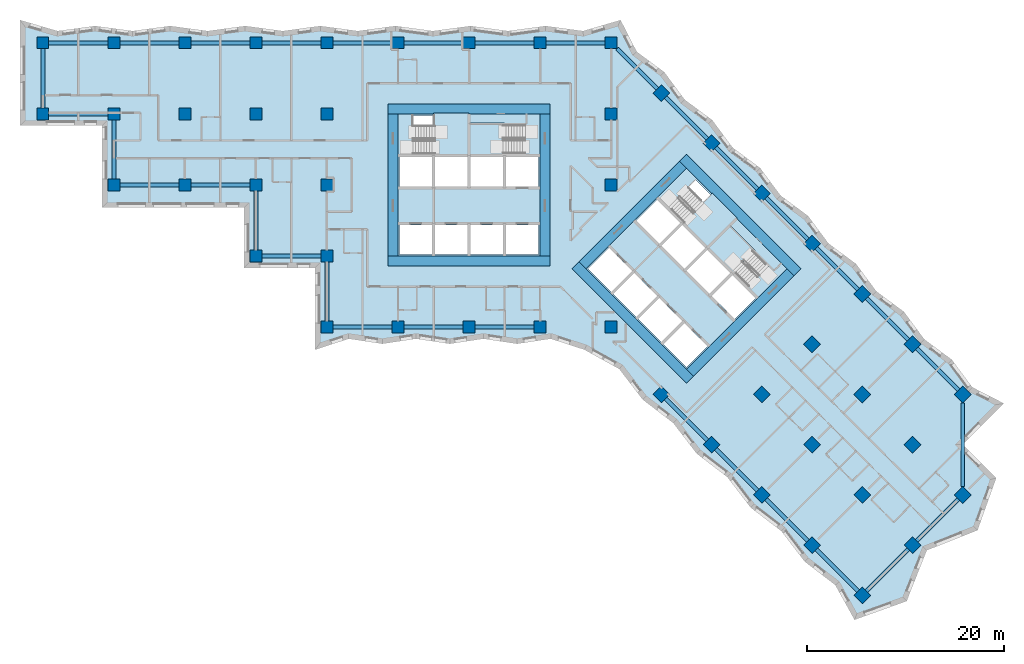
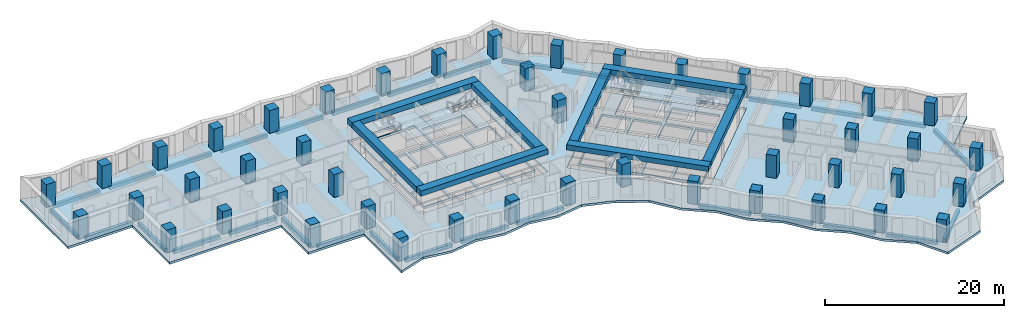
# One storey, part 1 of 12: 47 columns, 41 beams, 7 slabs, 22 openings, 4 elements without a shape of their own.
"""IFC4 building model written with IfcOpenShell, lengths in metres."""

from ifc_helpers import new_model, si_unit, direction, frame, origin, origin_2d, place, context, subcontext, project, spatial, polyline, rectangle, outline, extrude, material, layer, layer_set, material_profile, profile_set, type_object, element, aggregate, save


model = new_model("IFC4")

# Units and contexts
model_context = context("Model", 3, precision=1e-05, world=origin(), true_north=direction((0.0, 1.0)))
body_context = subcontext(model_context, "Body", "Model", "MODEL_VIEW")
ifc_project = project(units=[si_unit("LENGTHUNIT", "METRE"), si_unit("AREAUNIT", "SQUARE_METRE"), si_unit("VOLUMEUNIT", "CUBIC_METRE"), si_unit("PLANEANGLEUNIT", "RADIAN"), si_unit("MASSUNIT", "GRAM", prefix="KILO")], contexts=[model_context])

# Site, building, storey
site_placement = place(None, origin())
site = spatial("IfcSite", under=ifc_project, at=site_placement, CompositionType="ELEMENT")
building_placement = place(site_placement, origin())
building = spatial("IfcBuilding", under=site, at=building_placement, Name="Windrow Commons", CompositionType="ELEMENT")
storey_placement = place(building_placement, frame((0.0, 0.0, 50.8)))
storey = spatial("IfcBuildingStorey", under=building, at=storey_placement, Name="L13", CompositionType="ELEMENT", Elevation=50.8)

# Columns
ifc_material_1 = material(Name="Concrete C60/75", Category="concrete")
ifc_material_profile_1 = material_profile(ifc_material_1, rectangle(XDim=1.2, YDim=1.2, at=origin_2d()))
ifc_profile_set_1 = profile_set([ifc_material_profile_1], Name="Concrete C60/75")
column_type = type_object("IfcColumnType", Name="RC COLUMN 1200x1200 C60/75", PredefinedType="COLUMN", material=ifc_profile_set_1)
for number, where, z_axis, x_axis, name in (
    (1, (21.6, 64.8, 0.0), (0.0, 0.0, 1.0), (1.0, 0.0, 0.0), "C-Z1-04I"),
    (2, (21.6, 72.0, 0.0), (0.0, 0.0, 1.0), (1.0, 0.0, 0.0), "C-Z1-04J"),
    (3, (28.8, 57.6, 0.0), (0.0, 0.0, 1.0), (1.0, 0.0, 0.0), "C-Z1-05H"),
    (4, (28.8, 64.8, 0.0), (0.0, 0.0, 1.0), (1.0, 0.0, 0.0), "C-Z1-05I"),
    (5, (28.8, 72.0, 0.0), (0.0, 0.0, 1.0), (1.0, 0.0, 0.0), "C-Z1-05J"),
    (6, (36.0, 57.6, 0.0), (0.0, 0.0, 1.0), (1.0, 0.0, 0.0), "C-Z1-06H"),
    (7, (36.0, 64.8, 0.0), (0.0, 0.0, 1.0), (1.0, 0.0, 0.0), "C-Z1-06I"),
    (8, (36.0, 72.0, 0.0), (0.0, 0.0, 1.0), (1.0, 0.0, 0.0), "C-Z1-06J"),
    (9, (43.2, 50.4, 0.0), (0.0, 0.0, 1.0), (1.0, 0.0, 0.0), "C-Z1-07G"),
    (10, (43.2, 57.6, 0.0), (0.0, 0.0, 1.0), (1.0, 0.0, 0.0), "C-Z1-07H"),
    (11, (43.2, 64.8, 0.0), (0.0, 0.0, 1.0), (1.0, 0.0, 0.0), "C-Z1-07I"),
    (12, (43.2, 72.0, 0.0), (0.0, 0.0, 1.0), (1.0, 0.0, 0.0), "C-Z1-07J"),
    (13, (50.4, 43.2, 0.0), (0.0, 0.0, 1.0), (1.0, 0.0, 0.0), "C-Z1-08F"),
    (14, (50.4, 50.4, 0.0), (0.0, 0.0, 1.0), (1.0, 0.0, 0.0), "C-Z1-08G"),
    (15, (50.4, 57.6, 0.0), (0.0, 0.0, 1.0), (1.0, 0.0, 0.0), "C-Z1-08H"),
    (16, (50.4, 64.8, 0.0), (0.0, 0.0, 1.0), (1.0, 0.0, 0.0), "C-Z1-08I"),
    (17, (50.4, 72.0, 0.0), (0.0, 0.0, 1.0), (1.0, 0.0, 0.0), "C-Z1-08J"),
    (18, (57.6, 43.2, 0.0), (0.0, 0.0, 1.0), (1.0, 0.0, 0.0), "C-Z1-09F"),
    (19, (57.6, 72.0, 0.0), (0.0, 0.0, 1.0), (1.0, 0.0, 0.0), "C-Z1-09J"),
    (20, (64.8, 43.2, 0.0), (0.0, 0.0, 1.0), (1.0, 0.0, 0.0), "C-Z1-10F"),
    (21, (64.8, 72.0, 0.0), (0.0, 0.0, 1.0), (1.0, 0.0, 0.0), "C-Z1-10J"),
    (22, (72.0, 43.2, 0.0), (0.0, 0.0, 1.0), (1.0, 0.0, 0.0), "C-Z1-11F"),
    (23, (72.0, 72.0, 0.0), (0.0, 0.0, 1.0), (1.0, 0.0, 0.0), "C-Z1-11J"),
    (24, (79.2, 43.2, 0.0), (0.0, 0.0, 1.0), (1.0, 0.0, 0.0), "C-Z1-12F"),
    (25, (79.2, 57.6, 0.0), (0.0, 0.0, 1.0), (1.0, 0.0, 0.0), "C-Z1-12H"),
    (26, (79.2, 64.8, 0.0), (0.0, 0.0, 1.0), (1.0, 0.0, 0.0), "C-Z1-12I"),
    (27, (79.2, 72.0, 0.0), (0.0, 0.0, 1.0), (1.0, 0.0, 0.0), "C-Z1-12J"),
    (28, (84.2912, 66.9088, 0.0), (0.0, 0.0, 1.0), (0.7071067812, -0.7071067812, 0.0), "C-Z1-P2Q"),
    (29, (89.3823, 61.8177, 0.0), (0.0, 0.0, 1.0), (0.7071067812, -0.7071067812, 0.0), "C-Z1-P3Q"),
    (30, (94.4735, 56.7265, 0.0), (0.0, 0.0, 1.0), (0.7071067812, -0.7071067812, 0.0), "C-Z1-P4Q"),
    (31, (99.5647, 51.6353, 0.0), (0.0, 0.0, 1.0), (0.7071067812, -0.7071067812, 0.0), "C-Z1-P5Q"),
    (32, (84.2912, 36.3618, 0.0), (0.0, 0.0, 1.0), (0.7071067812, -0.7071067812, 0.0), "C-Z1-P5T"),
    (33, (104.6558, 46.5442, 0.0), (0.0, 0.0, 1.0), (0.7071067812, -0.7071067812, 0.0), "C-Z1-P6Q"),
    (34, (99.5647, 41.453, 0.0), (0.0, 0.0, 1.0), (0.7071067812, -0.7071067812, 0.0), "C-Z1-P6R"),
    (35, (94.4735, 36.3618, 0.0), (0.0, 0.0, 1.0), (0.7071067812, -0.7071067812, 0.0), "C-Z1-P6S"),
    (36, (89.3823, 31.2706, 0.0), (0.0, 0.0, 1.0), (0.7071067812, -0.7071067812, 0.0), "C-Z1-P6T"),
    (37, (109.747, 41.453, 0.0), (0.0, 0.0, 1.0), (0.7071067812, -0.7071067812, 0.0), "C-Z1-P7Q"),
    (38, (104.6558, 36.3618, 0.0), (0.0, 0.0, 1.0), (0.7071067812, -0.7071067812, 0.0), "C-Z1-P7R"),
    (39, (99.5647, 31.2706, 0.0), (0.0, 0.0, 1.0), (0.7071067812, -0.7071067812, 0.0), "C-Z1-P7S"),
    (40, (94.4735, 26.1795, 0.0), (0.0, 0.0, 1.0), (0.7071067812, -0.7071067812, 0.0), "C-Z1-P7T"),
    (41, (114.8382, 36.3618, 0.0), (0.0, 0.0, 1.0), (0.7071067812, -0.7071067812, 0.0), "C-Z1-P8Q"),
    (42, (109.747, 31.2706, 0.0), (0.0, 0.0, 1.0), (0.7071067812, -0.7071067812, 0.0), "C-Z1-P8R"),
    (43, (104.6558, 26.1795, 0.0), (0.0, 0.0, 1.0), (0.7071067812, -0.7071067812, 0.0), "C-Z1-P8S"),
    (44, (99.5647, 21.0883, 0.0), (0.0, 0.0, 1.0), (0.7071067812, -0.7071067812, 0.0), "C-Z1-P8T"),
    (45, (114.8382, 26.1795, 0.0), (0.0, 0.0, 1.0), (0.7071067812, -0.7071067812, 0.0), "C-Z1-P9R"),
    (46, (109.747, 21.0883, 0.0), (0.0, 0.0, 1.0), (0.7071067812, -0.7071067812, 0.0), "C-Z1-P9S"),
    (47, (104.6558, 15.9971, 0.0), (0.0, 0.0, 1.0), (0.7071067812, -0.7071067812, 0.0), "C-Z1-P9T"),
):
    element("IfcColumn", number, at=place(storey_placement, frame(where, z_axis=z_axis, x_axis=x_axis)), inside=storey, type_object=column_type, Name=name, PredefinedType="COLUMN", context=body_context, shape_type="SweptSolid", body=[
        extrude(rectangle(XDim=1.2, YDim=1.2, at=origin_2d()), origin(), (0.0, 0.0, 1.0), 3.1),
    ])

# Beams
ifc_material_2 = material(Name="Concrete C60/75", Category="concrete")
ifc_material_profile_2 = material_profile(ifc_material_2, rectangle(XDim=1.0, YDim=0.7, at=origin_2d()))
ifc_profile_set_2 = profile_set([ifc_material_profile_2], Name="Concrete C60/75")
beam_type_1 = type_object("IfcBeamType", Name="RC COUPLING BEAM 1000x700 C60/75", PredefinedType="LINTEL", material=ifc_profile_set_2)
for number, where, z_axis, x_axis, name in (
    (48, (56.6, 49.9, 2.75), (1.0, 0.0, 0.0), (0.0, 1.0, 0.0), "Core A coupling beam outer-S"),
    (49, (56.6, 65.3, 2.75), (1.0, 0.0, 0.0), (0.0, 1.0, 0.0), "Core A coupling beam outer-N"),
):
    element("IfcBeam", number, at=place(storey_placement, frame(where, z_axis=z_axis, x_axis=x_axis)), inside=storey, type_object=beam_type_1, Name=name, PredefinedType="LINTEL", context=body_context, shape_type="SweptSolid", body=[
        extrude(rectangle(XDim=1.0, YDim=0.7, at=origin_2d()), origin(), (0.0, 0.0, 1.0), 16.4),
    ])
for number, where, z_axis, x_axis, name in (
    (50, (57.1, 50.4, 2.75), (0.0, 1.0, 0.0), (-1.0, 0.0, 0.0), "Core A coupling beam outer-W"),
    (51, (72.5, 50.4, 2.75), (0.0, 1.0, 0.0), (-1.0, 0.0, 0.0), "Core A coupling beam outer-E"),
):
    element("IfcBeam", number, at=place(storey_placement, frame(where, z_axis=z_axis, x_axis=x_axis)), inside=storey, type_object=beam_type_1, Name=name, PredefinedType="LINTEL", context=body_context, shape_type="SweptSolid", body=[
        extrude(rectangle(XDim=1.0, YDim=0.7, at=origin_2d()), origin(), (0.0, 0.0, 1.0), 14.4),
    ])
for number, where, z_axis, x_axis, name in (
    (52, (75.5938, 49.4433, 2.75), (0.7071037324, -0.70710983, 0.0), (0.70710983, 0.7071037324, 0.0), "Core B coupling beam outer-S"),
    (53, (86.4832, 60.3327, 2.75), (0.70710983, -0.7071037324, 0.0), (0.7071037324, 0.70710983, 0.0), "Core B coupling beam outer-N"),
):
    element("IfcBeam", number, at=place(storey_placement, frame(where, z_axis=z_axis, x_axis=x_axis)), inside=storey, type_object=beam_type_1, Name=name, PredefinedType="LINTEL", context=body_context, shape_type="SweptSolid", body=[
        extrude(rectangle(XDim=1.0, YDim=0.7, at=origin_2d()), origin(), (0.0, 0.0, 1.0), 16.4),
    ])
beam_1_placement = place(storey_placement, frame((76.3009, 49.4433, 2.75), z_axis=(0.7071067812, 0.7071067812, 0.0), x_axis=(-0.7071067812, 0.7071067812, 0.0)))
element("IfcBeam", 54, at=beam_1_placement, inside=storey, type_object=beam_type_1, Name="Core B coupling beam outer-W", PredefinedType="LINTEL", context=body_context, shape_type="SweptSolid", body=[
    extrude(rectangle(XDim=1.0, YDim=0.7, at=origin_2d()), origin(), (0.0, 0.0, 1.0), 14.3999),
])
beam_2_placement = place(storey_placement, frame((87.1903, 38.5538, 2.75), z_axis=(0.707103309, 0.7071102534, 0.0), x_axis=(-0.7071102534, 0.707103309, 0.0)))
element("IfcBeam", 55, at=beam_2_placement, inside=storey, type_object=beam_type_1, Name="Core B coupling beam outer-E", PredefinedType="LINTEL", context=body_context, shape_type="SweptSolid", body=[
    extrude(rectangle(XDim=1.0, YDim=0.7, at=origin_2d()), origin(), (0.0, 0.0, 1.0), 14.4),
])
ifc_material_3 = material(Name="Concrete C60/75", Category="concrete")
ifc_material_profile_3 = material_profile(ifc_material_3, rectangle(XDim=0.4, YDim=0.5, at=origin_2d()))
ifc_profile_set_3 = profile_set([ifc_material_profile_3], Name="Concrete C60/75")
beam_type_2 = type_object("IfcBeamType", Name="RC EDGE BEAM 400x500 C60/75", PredefinedType="SPANDREL", material=ifc_profile_set_3)
for number, where, z_axis, x_axis, name in (
    (56, (49.8, 50.4, -0.55), (-1.0, 0.0, 0.0), (0.0, -1.0, 0.0), "Edge beam L13 001"),
    (57, (43.2, 51.0, -0.55), (0.0, 1.0, 0.0), (-1.0, 0.0, 0.0), "Edge beam L13 002"),
    (58, (42.6, 57.6, -0.55), (-1.0, 0.0, 0.0), (0.0, -1.0, 0.0), "Edge beam L13 003"),
    (59, (35.4, 57.6, -0.55), (-1.0, 0.0, 0.0), (0.0, -1.0, 0.0), "Edge beam L13 004"),
    (60, (28.8, 58.2, -0.55), (0.0, 1.0, 0.0), (-1.0, 0.0, 0.0), "Edge beam L13 005"),
    (61, (28.2, 64.8, -0.55), (-1.0, 0.0, 0.0), (0.0, -1.0, 0.0), "Edge beam L13 006"),
    (62, (21.6, 65.4, -0.55), (0.0, 1.0, 0.0), (-1.0, 0.0, 0.0), "Edge beam L13 007"),
    (63, (22.2, 72.0, -0.55), (1.0, 0.0, 0.0), (0.0, 1.0, 0.0), "Edge beam L13 008"),
    (64, (29.4, 72.0, -0.55), (1.0, 0.0, 0.0), (0.0, 1.0, 0.0), "Edge beam L13 009"),
    (65, (36.6, 72.0, -0.55), (1.0, 0.0, 0.0), (0.0, 1.0, 0.0), "Edge beam L13 010"),
    (66, (43.8, 72.0, -0.55), (1.0, 0.0, 0.0), (0.0, 1.0, 0.0), "Edge beam L13 011"),
    (67, (51.0, 72.0, -0.55), (1.0, 0.0, 0.0), (0.0, 1.0, 0.0), "Edge beam L13 012"),
    (68, (58.2, 72.0, -0.55), (1.0, 0.0, 0.0), (0.0, 1.0, 0.0), "Edge beam L13 013"),
    (69, (65.4, 72.0, -0.55), (1.0, 0.0, 0.0), (0.0, 1.0, 0.0), "Edge beam L13 014"),
    (70, (72.6, 72.0, -0.55), (1.0, 0.0, 0.0), (0.0, 1.0, 0.0), "Edge beam L13 015"),
):
    element("IfcBeam", number, at=place(storey_placement, frame(where, z_axis=z_axis, x_axis=x_axis)), inside=storey, type_object=beam_type_2, Name=name, PredefinedType="SPANDREL", context=body_context, shape_type="SweptSolid", body=[
        extrude(rectangle(XDim=0.4, YDim=0.5, at=origin_2d()), origin(), (0.0, 0.0, 1.0), 6.0),
    ])
beam_3_placement = place(storey_placement, frame((79.8, 71.4, -0.55), z_axis=(0.7071067812, -0.7071067812, 0.0), x_axis=(0.7071067812, 0.7071067812, 0.0)))
element("IfcBeam", 71, at=beam_3_placement, inside=storey, type_object=beam_type_2, Name="Edge beam L13 016", PredefinedType="SPANDREL", context=body_context, shape_type="SweptSolid", body=[
    extrude(rectangle(XDim=0.4, YDim=0.5, at=origin_2d()), origin(), (0.0, 0.0, 1.0), 5.7515),
])
beam_4_placement = place(storey_placement, frame((84.7155, 66.4845, -0.55), z_axis=(0.7071067812, -0.7071067812, 0.0), x_axis=(0.7071067812, 0.7071067812, 0.0)))
element("IfcBeam", 72, at=beam_4_placement, inside=storey, type_object=beam_type_2, Name="Edge beam L13 017", PredefinedType="SPANDREL", context=body_context, shape_type="SweptSolid", body=[
    extrude(rectangle(XDim=0.4, YDim=0.5, at=origin_2d()), origin(), (0.0, 0.0, 1.0), 5.9998),
])
for number, where, z_axis, x_axis, name in (
    (73, (89.8066, 61.3934, -0.55), (0.7071067812, -0.7071067812, 0.0), (0.7071067812, 0.7071067812, 0.0), "Edge beam L13 018"),
    (74, (94.8978, 56.3022, -0.55), (0.7071067812, -0.7071067812, 0.0), (0.7071067812, 0.7071067812, 0.0), "Edge beam L13 019"),
):
    element("IfcBeam", number, at=place(storey_placement, frame(where, z_axis=z_axis, x_axis=x_axis)), inside=storey, type_object=beam_type_2, Name=name, PredefinedType="SPANDREL", context=body_context, shape_type="SweptSolid", body=[
        extrude(rectangle(XDim=0.4, YDim=0.5, at=origin_2d()), origin(), (0.0, 0.0, 1.0), 5.9999),
    ])
beam_5_placement = place(storey_placement, frame((99.989, 51.211, -0.55), z_axis=(0.7071067812, -0.7071067812, 0.0), x_axis=(0.7071067812, 0.7071067812, 0.0)))
element("IfcBeam", 75, at=beam_5_placement, inside=storey, type_object=beam_type_2, Name="Edge beam L13 020", PredefinedType="SPANDREL", context=body_context, shape_type="SweptSolid", body=[
    extrude(rectangle(XDim=0.4, YDim=0.5, at=origin_2d()), origin(), (0.0, 0.0, 1.0), 5.9998),
])
for number, where, z_axis, x_axis, name in (
    (76, (105.0801, 46.1199, -0.55), (0.7071067812, -0.7071067812, 0.0), (0.7071067812, 0.7071067812, 0.0), "Edge beam L13 021"),
    (77, (110.1713, 41.0287, -0.55), (0.7071067812, -0.7071067812, 0.0), (0.7071067812, 0.7071067812, 0.0), "Edge beam L13 022"),
):
    element("IfcBeam", number, at=place(storey_placement, frame(where, z_axis=z_axis, x_axis=x_axis)), inside=storey, type_object=beam_type_2, Name=name, PredefinedType="SPANDREL", context=body_context, shape_type="SweptSolid", body=[
        extrude(rectangle(XDim=0.4, YDim=0.5, at=origin_2d()), origin(), (0.0, 0.0, 1.0), 5.9999),
    ])
beam_6_placement = place(storey_placement, frame((114.8382, 35.5133, -0.55), z_axis=(0.0, -1.0, 0.0), x_axis=(1.0, 0.0, 0.0)))
element("IfcBeam", 78, at=beam_6_placement, inside=storey, type_object=beam_type_2, Name="Edge beam L13 023", PredefinedType="SPANDREL", context=body_context, shape_type="SweptSolid", body=[
    extrude(rectangle(XDim=0.4, YDim=0.5, at=origin_2d()), origin(), (0.0, 0.0, 1.0), 8.4853),
])
for number, where, z_axis, x_axis, name in (
    (79, (114.4139, 25.7552, -0.55), (-0.7071067812, -0.7071067812, 0.0), (0.7071067812, -0.7071067812, 0.0), "Edge beam L13 024"),
    (80, (109.3227, 20.664, -0.55), (-0.7071067812, -0.7071067812, 0.0), (0.7071067812, -0.7071067812, 0.0), "Edge beam L13 025"),
    (81, (104.2315, 16.4214, -0.55), (-0.7070984476, 0.7071151146, 0.0), (-0.7071151146, -0.7070984476, 0.0), "Edge beam L13 026"),
    (82, (99.1404, 21.5126, -0.55), (-0.7071067812, 0.7071067812, 0.0), (-0.7071067812, -0.7071067812, 0.0), "Edge beam L13 027"),
    (83, (94.0492, 26.6038, -0.55), (-0.7071151146, 0.7070984476, 0.0), (-0.7070984476, -0.7071151146, 0.0), "Edge beam L13 028"),
    (84, (88.958, 31.6949, -0.55), (-0.7070984476, 0.7071151146, 0.0), (-0.7071151146, -0.7070984476, 0.0), "Edge beam L13 029"),
):
    element("IfcBeam", number, at=place(storey_placement, frame(where, z_axis=z_axis, x_axis=x_axis)), inside=storey, type_object=beam_type_2, Name=name, PredefinedType="SPANDREL", context=body_context, shape_type="SweptSolid", body=[
        extrude(rectangle(XDim=0.4, YDim=0.5, at=origin_2d()), origin(), (0.0, 0.0, 1.0), 5.9999),
    ])
for number, where, z_axis, x_axis, name in (
    (85, (71.4, 43.2, -0.55), (-1.0, 0.0, 0.0), (0.0, -1.0, 0.0), "Edge beam L13 030"),
    (86, (64.2, 43.2, -0.55), (-1.0, 0.0, 0.0), (0.0, -1.0, 0.0), "Edge beam L13 031"),
    (87, (57.0, 43.2, -0.55), (-1.0, 0.0, 0.0), (0.0, -1.0, 0.0), "Edge beam L13 032"),
    (88, (50.4, 43.8, -0.55), (0.0, 1.0, 0.0), (-1.0, 0.0, 0.0), "Edge beam L13 033"),
):
    element("IfcBeam", number, at=place(storey_placement, frame(where, z_axis=z_axis, x_axis=x_axis)), inside=storey, type_object=beam_type_2, Name=name, PredefinedType="SPANDREL", context=body_context, shape_type="SweptSolid", body=[
        extrude(rectangle(XDim=0.4, YDim=0.5, at=origin_2d()), origin(), (0.0, 0.0, 1.0), 6.0),
    ])

# Slab, openings
ifc_material_4 = material(Name="Concrete C60/75", Category="concrete")
ifc_layer_1 = layer(ifc_material_4, 0.3)
ifc_layer_set_1 = layer_set([ifc_layer_1], Name="CORE FLOOR SLAB 300 C60/75")
slab_type_1 = type_object("IfcSlabType", Name="CORE FLOOR SLAB 300 C60/75", PredefinedType="FLOOR", material=ifc_layer_set_1)
placement_1 = place(storey_placement, frame((0.0, 0.0, -0.3)))
slab_1 = element("IfcSlab", 89, at=placement_1, inside=storey, type_object=slab_type_1, Name="S-L13-core-A", PredefinedType="FLOOR", context=body_context, shape_type="SweptSolid", body=[
    extrude(outline(polyline([(57.6, 50.4), (72.0, 50.4), (72.0, 64.8), (57.6, 64.8), (57.6, 50.4)]), holes=[polyline([(57.75, 50.55), (61.05, 50.55), (61.05, 53.55), (57.75, 53.55), (57.75, 50.55)]), polyline([(61.35, 50.55), (64.65, 50.55), (64.65, 53.55), (61.35, 53.55), (61.35, 50.55)]), polyline([(64.95, 50.55), (68.25, 50.55), (68.25, 53.55), (64.95, 53.55), (64.95, 50.55)]), polyline([(68.55, 50.55), (71.85, 50.55), (71.85, 53.55), (68.55, 53.55), (68.55, 50.55)]), polyline([(57.75, 57.45), (61.05, 57.45), (61.05, 60.45), (57.75, 60.45), (57.75, 57.45)]), polyline([(61.35, 57.45), (64.65, 57.45), (64.65, 60.45), (61.35, 60.45), (61.35, 57.45)]), polyline([(64.95, 57.45), (68.25, 57.45), (68.25, 60.45), (64.95, 60.45), (64.95, 57.45)]), polyline([(68.55, 57.45), (71.85, 57.45), (71.85, 60.45), (68.55, 60.45), (68.55, 57.45)]), polyline([(59.1, 60.75), (64.65, 60.75), (64.65, 64.65), (59.1, 64.65), (59.1, 60.75)]), polyline([(64.95, 60.75), (70.5, 60.75), (70.5, 63.705), (64.95, 63.705), (64.95, 60.75)])]), origin(), (0.0, 0.0, 1.0), 0.3),
])
opening_1_placement = place(placement_1, origin())
element("IfcOpeningElement", 90, at=opening_1_placement, cuts=slab_1, Name="Slab opening S-L13-core-A 1", PredefinedType="OPENING", context=body_context, shape_type="SweptSolid", body=[
    extrude(outline(polyline([(57.755, 50.555), (57.755, 53.545), (61.045, 53.545), (61.045, 50.555), (57.755, 50.555)])), origin(), (0.0, 0.0, 1.0), 0.3),
])
opening_2_placement = place(placement_1, origin())
element("IfcOpeningElement", 91, at=opening_2_placement, cuts=slab_1, Name="Slab opening S-L13-core-A 2", PredefinedType="OPENING", context=body_context, shape_type="SweptSolid", body=[
    extrude(outline(polyline([(61.355, 50.555), (61.355, 53.545), (64.645, 53.545), (64.645, 50.555), (61.355, 50.555)])), origin(), (0.0, 0.0, 1.0), 0.3),
])
opening_3_placement = place(placement_1, origin())
element("IfcOpeningElement", 92, at=opening_3_placement, cuts=slab_1, Name="Slab opening S-L13-core-A 3", PredefinedType="OPENING", context=body_context, shape_type="SweptSolid", body=[
    extrude(outline(polyline([(64.955, 50.555), (64.955, 53.545), (68.245, 53.545), (68.245, 50.555), (64.955, 50.555)])), origin(), (0.0, 0.0, 1.0), 0.3),
])
opening_4_placement = place(placement_1, origin())
element("IfcOpeningElement", 93, at=opening_4_placement, cuts=slab_1, Name="Slab opening S-L13-core-A 4", PredefinedType="OPENING", context=body_context, shape_type="SweptSolid", body=[
    extrude(outline(polyline([(68.555, 50.555), (68.555, 53.545), (71.845, 53.545), (71.845, 50.555), (68.555, 50.555)])), origin(), (0.0, 0.0, 1.0), 0.3),
])
opening_5_placement = place(placement_1, origin())
element("IfcOpeningElement", 94, at=opening_5_placement, cuts=slab_1, Name="Slab opening S-L13-core-A 5", PredefinedType="OPENING", context=body_context, shape_type="SweptSolid", body=[
    extrude(outline(polyline([(57.755, 57.455), (57.755, 60.445), (61.045, 60.445), (61.045, 57.455), (57.755, 57.455)])), origin(), (0.0, 0.0, 1.0), 0.3),
])
opening_6_placement = place(placement_1, origin())
element("IfcOpeningElement", 95, at=opening_6_placement, cuts=slab_1, Name="Slab opening S-L13-core-A 6", PredefinedType="OPENING", context=body_context, shape_type="SweptSolid", body=[
    extrude(outline(polyline([(61.355, 57.455), (61.355, 60.445), (64.645, 60.445), (64.645, 57.455), (61.355, 57.455)])), origin(), (0.0, 0.0, 1.0), 0.3),
])
opening_7_placement = place(placement_1, origin())
element("IfcOpeningElement", 96, at=opening_7_placement, cuts=slab_1, Name="Slab opening S-L13-core-A 7", PredefinedType="OPENING", context=body_context, shape_type="SweptSolid", body=[
    extrude(outline(polyline([(64.955, 57.455), (64.955, 60.445), (68.245, 60.445), (68.245, 57.455), (64.955, 57.455)])), origin(), (0.0, 0.0, 1.0), 0.3),
])
opening_8_placement = place(placement_1, origin())
element("IfcOpeningElement", 97, at=opening_8_placement, cuts=slab_1, Name="Slab opening S-L13-core-A 8", PredefinedType="OPENING", context=body_context, shape_type="SweptSolid", body=[
    extrude(outline(polyline([(68.555, 57.455), (68.555, 60.445), (71.845, 60.445), (71.845, 57.455), (68.555, 57.455)])), origin(), (0.0, 0.0, 1.0), 0.3),
])
opening_9_placement = place(placement_1, origin())
element("IfcOpeningElement", 98, at=opening_9_placement, cuts=slab_1, Name="Slab opening S-L13-core-A 9", PredefinedType="OPENING", context=body_context, shape_type="SweptSolid", body=[
    extrude(outline(polyline([(59.105, 60.755), (59.105, 64.645), (64.645, 64.645), (64.645, 60.755), (59.105, 60.755)])), origin(), (0.0, 0.0, 1.0), 0.3),
])
opening_10_placement = place(placement_1, origin())
element("IfcOpeningElement", 99, at=opening_10_placement, cuts=slab_1, Name="Slab opening S-L13-core-A 10", PredefinedType="OPENING", context=body_context, shape_type="SweptSolid", body=[
    extrude(outline(polyline([(64.955, 60.755), (64.955, 63.7), (70.495, 63.7), (70.495, 60.755), (64.955, 60.755)])), origin(), (0.0, 0.0, 1.0), 0.3),
])

slab_2 = element("IfcSlab", 100, at=placement_1, inside=storey, type_object=slab_type_1, Name="S-L13-core-B", PredefinedType="FLOOR", context=body_context, shape_type="SweptSolid", body=[
    extrude(outline(polyline([(76.6544, 49.0897), (86.8368, 38.9074), (97.0191, 49.0897), (86.8368, 59.2721), (76.6544, 49.0897)]), holes=[polyline([(76.8665, 49.0897), (79.2, 46.7563), (81.3213, 48.8776), (78.9879, 51.2111), (76.8665, 49.0897)]), polyline([(79.4121, 46.5442), (81.7456, 44.2107), (83.8669, 46.332), (81.5335, 48.6655), (79.4121, 46.5442)]), polyline([(81.9577, 43.9986), (84.2912, 41.6651), (86.4125, 43.7864), (84.079, 46.1199), (81.9577, 43.9986)]), polyline([(84.5033, 41.453), (86.8368, 39.1195), (88.9581, 41.2409), (86.6246, 43.5743), (84.5033, 41.453)]), polyline([(81.7456, 53.9688), (84.079, 51.6353), (86.2004, 53.7566), (83.8669, 56.0901), (81.7456, 53.9688)]), polyline([(84.2912, 51.4232), (86.6246, 49.0897), (88.7459, 51.2111), (86.4125, 53.5445), (84.2912, 51.4232)]), polyline([(86.8368, 48.8776), (89.1702, 46.5442), (91.2915, 48.6655), (88.9581, 50.9989), (86.8368, 48.8776)]), polyline([(89.3823, 46.332), (91.7158, 43.9986), (93.8371, 46.1199), (91.5037, 48.4533), (89.3823, 46.332)]), polyline([(85.0336, 55.3476), (88.9581, 51.4232), (91.7158, 54.1809), (87.7913, 58.1054), (85.0336, 55.3476)]), polyline([(89.1702, 51.2111), (93.0946, 47.2866), (95.1841, 49.3761), (91.2597, 53.3006), (89.1702, 51.2111)])]), origin(), (0.0, 0.0, 1.0), 0.3),
])
opening_11_placement = place(placement_1, origin())
element("IfcOpeningElement", 101, at=opening_11_placement, cuts=slab_2, Name="Slab opening S-L13-core-B 1", PredefinedType="OPENING", context=body_context, shape_type="SweptSolid", body=[
    extrude(outline(polyline([(76.8736, 49.0897), (78.9879, 51.204), (81.3142, 48.8776), (79.2, 46.7634), (76.8736, 49.0897)])), origin(), (0.0, 0.0, 1.0), 0.3),
])
opening_12_placement = place(placement_1, origin())
element("IfcOpeningElement", 102, at=opening_12_placement, cuts=slab_2, Name="Slab opening S-L13-core-B 2", PredefinedType="OPENING", context=body_context, shape_type="SweptSolid", body=[
    extrude(outline(polyline([(79.4192, 46.5442), (81.5335, 48.6584), (83.8598, 46.332), (81.7456, 44.2178), (79.4192, 46.5442)])), origin(), (0.0, 0.0, 1.0), 0.3),
])
opening_13_placement = place(placement_1, origin())
element("IfcOpeningElement", 103, at=opening_13_placement, cuts=slab_2, Name="Slab opening S-L13-core-B 3", PredefinedType="OPENING", context=body_context, shape_type="SweptSolid", body=[
    extrude(outline(polyline([(81.9648, 43.9986), (84.079, 46.1128), (86.4054, 43.7864), (84.2912, 41.6722), (81.9648, 43.9986)])), origin(), (0.0, 0.0, 1.0), 0.3),
])
opening_14_placement = place(placement_1, origin())
element("IfcOpeningElement", 104, at=opening_14_placement, cuts=slab_2, Name="Slab opening S-L13-core-B 4", PredefinedType="OPENING", context=body_context, shape_type="SweptSolid", body=[
    extrude(outline(polyline([(84.5104, 41.453), (86.6246, 43.5672), (88.951, 41.2409), (86.8368, 39.1266), (84.5104, 41.453)])), origin(), (0.0, 0.0, 1.0), 0.3),
])
opening_15_placement = place(placement_1, origin())
element("IfcOpeningElement", 105, at=opening_15_placement, cuts=slab_2, Name="Slab opening S-L13-core-B 5", PredefinedType="OPENING", context=body_context, shape_type="SweptSolid", body=[
    extrude(outline(polyline([(81.7527, 53.9688), (83.8669, 56.083), (86.1933, 53.7566), (84.079, 51.6424), (81.7527, 53.9688)])), origin(), (0.0, 0.0, 1.0), 0.3),
])
opening_16_placement = place(placement_1, origin())
element("IfcOpeningElement", 106, at=opening_16_placement, cuts=slab_2, Name="Slab opening S-L13-core-B 6", PredefinedType="OPENING", context=body_context, shape_type="SweptSolid", body=[
    extrude(outline(polyline([(84.2983, 51.4232), (86.4125, 53.5374), (88.7388, 51.2111), (86.6246, 49.0968), (84.2983, 51.4232)])), origin(), (0.0, 0.0, 1.0), 0.3),
])
opening_17_placement = place(placement_1, origin())
element("IfcOpeningElement", 107, at=opening_17_placement, cuts=slab_2, Name="Slab opening S-L13-core-B 7", PredefinedType="OPENING", context=body_context, shape_type="SweptSolid", body=[
    extrude(outline(polyline([(86.8439, 48.8776), (88.9581, 50.9918), (91.2844, 48.6655), (89.1702, 46.5513), (86.8439, 48.8776)])), origin(), (0.0, 0.0, 1.0), 0.3),
])
opening_18_placement = place(placement_1, origin())
element("IfcOpeningElement", 108, at=opening_18_placement, cuts=slab_2, Name="Slab opening S-L13-core-B 8", PredefinedType="OPENING", context=body_context, shape_type="SweptSolid", body=[
    extrude(outline(polyline([(89.3894, 46.332), (91.5037, 48.4462), (93.83, 46.1199), (91.7158, 44.0057), (89.3894, 46.332)])), origin(), (0.0, 0.0, 1.0), 0.3),
])
opening_19_placement = place(placement_1, origin())
element("IfcOpeningElement", 109, at=opening_19_placement, cuts=slab_2, Name="Slab opening S-L13-core-B 9", PredefinedType="OPENING", context=body_context, shape_type="SweptSolid", body=[
    extrude(outline(polyline([(85.0407, 55.3476), (87.7913, 58.0983), (91.7087, 54.1809), (88.9581, 51.4303), (85.0407, 55.3476)])), origin(), (0.0, 0.0, 1.0), 0.3),
])
opening_20_placement = place(placement_1, origin())
element("IfcOpeningElement", 110, at=opening_20_placement, cuts=slab_2, Name="Slab opening S-L13-core-B 10", PredefinedType="OPENING", context=body_context, shape_type="SweptSolid", body=[
    extrude(outline(polyline([(89.1773, 51.2111), (91.2597, 53.2935), (95.177, 49.3761), (93.0946, 47.2937), (89.1773, 51.2111)])), origin(), (0.0, 0.0, 1.0), 0.3),
])

# Stair, slab
ifc_material_5 = material(Name="Concrete C40/50", Category="concrete")
stair_type = type_object("IfcStairType", Name="Core stair", PredefinedType="HALF_TURN_STAIR", material=ifc_material_5)
placement_2 = place(storey_placement, origin())
stair_1 = element("IfcStair", 111, at=placement_2, inside=storey, type_object=stair_type, Name="L13 Exit stair A1 core A", PredefinedType="HALF_TURN_STAIR")
ifc_material_6 = material(Name="Concrete C40/50", Category="concrete")
ifc_layer_2 = layer(ifc_material_6, 0.2)
ifc_layer_set_2 = layer_set([ifc_layer_2], Name="Core stair landing")
slab_type_2 = type_object("IfcSlabType", Name="Core stair landing", PredefinedType="LANDING", material=ifc_layer_set_2)
placement_3 = place(storey_placement, frame((0.0, 0.0, 1.5)))
slab_3 = element("IfcSlab", 112, at=placement_3, type_object=slab_type_2, Name="ST-A1 landing 1", PredefinedType="LANDING", context=body_context, shape_type="SweptSolid", body=[
    extrude(outline(polyline([(61.22, 60.5), (64.8, 60.5), (64.8, 64.9), (61.22, 64.9), (61.22, 60.5)])), origin(), (0.0, 0.0, 1.0), 0.2),
])
aggregate(stair_1, [slab_3])

stair_2 = element("IfcStair", 113, at=placement_2, inside=storey, type_object=stair_type, Name="L13 Exit stair A2 core A", PredefinedType="HALF_TURN_STAIR")
slab_4 = element("IfcSlab", 114, at=placement_3, type_object=slab_type_2, Name="ST-A2 landing 1", PredefinedType="LANDING", context=body_context, shape_type="SweptSolid", body=[
    extrude(outline(polyline([(64.8, 60.5), (68.38, 60.5), (68.38, 63.855), (64.8, 63.855), (64.8, 60.5)])), origin(), (0.0, 0.0, 1.0), 0.2),
])
aggregate(stair_2, [slab_4])

stair_3 = element("IfcStair", 115, at=placement_2, inside=storey, type_object=stair_type, Name="L13 Exit stair B1 core B", PredefinedType="HALF_TURN_STAIR")
slab_5 = element("IfcSlab", 116, at=placement_3, type_object=slab_type_2, Name="ST-B1 landing 1", PredefinedType="LANDING", context=body_context, shape_type="SweptSolid", body=[
    extrude(outline(polyline([(86.3559, 53.6718), (88.8874, 51.1403), (91.9986, 54.2516), (89.4672, 56.7831), (86.3559, 53.6718)])), origin(), (0.0, 0.0, 1.0), 0.2),
])
aggregate(stair_3, [slab_5])

stair_4 = element("IfcStair", 117, at=placement_2, inside=storey, type_object=stair_type, Name="L13 Exit stair B2 core B", PredefinedType="HALF_TURN_STAIR")
slab_6 = element("IfcSlab", 118, at=placement_3, type_object=slab_type_2, Name="ST-B2 landing 1", PredefinedType="LANDING", context=body_context, shape_type="SweptSolid", body=[
    extrude(outline(polyline([(88.8874, 51.1403), (91.4188, 48.6089), (93.7911, 50.9812), (91.2597, 53.5127), (88.8874, 51.1403)])), origin(), (0.0, 0.0, 1.0), 0.2),
])
aggregate(stair_4, [slab_6])

# Slab, openings
ifc_material_7 = material(Name="Concrete C60/75", Category="concrete")
ifc_layer_3 = layer(ifc_material_7, 0.3)
ifc_layer_set_3 = layer_set([ifc_layer_3], Name="FLOOR SLAB 300 C60/75")
slab_type_3 = type_object("IfcSlabType", Name="FLOOR SLAB 300 C60/75", PredefinedType="FLOOR", material=ifc_layer_set_3)
slab_7 = element("IfcSlab", 119, at=placement_1, inside=storey, type_object=slab_type_3, Name="S-L13-floor", PredefinedType="FLOOR", context=body_context, shape_type="SweptSolid", body=[
    extrude(outline(polyline([(101.9184, 17.0375), (103.8695, 13.5138), (109.1572, 15.4074), (111.1923, 20.5537), (116.3386, 22.5888), (118.2323, 27.8765), (114.8382, 31.2706), (119.0186, 35.4511), (115.8035, 37.0936), (113.7367, 39.8845), (110.9459, 41.9512), (108.8791, 44.7421), (106.0883, 46.8088), (104.0215, 49.5997), (101.2307, 51.6664), (99.1639, 54.4573), (96.373, 56.5241), (94.3063, 59.3149), (91.5154, 61.3817), (89.4487, 64.1725), (86.6578, 66.2393), (84.5911, 69.0301), (81.8002, 71.0969), (80.1577, 74.312), (76.3533, 73.2), (72.549, 73.712), (68.7446, 73.2), (64.9403, 73.712), (61.1359, 73.2), (57.3316, 73.712), (53.5272, 73.2), (49.7229, 73.712), (45.9185, 73.2), (42.1141, 73.712), (38.3098, 73.2), (34.5054, 73.712), (30.7011, 73.2), (26.8967, 73.712), (23.0924, 73.2), (19.288, 74.312), (19.288, 63.6), (27.6, 63.6), (27.6, 55.288), (42.0, 55.288), (42.0, 49.2), (49.2, 49.2), (49.2, 40.888), (52.6119, 42.0), (56.0238, 41.488), (59.4357, 42.0), (62.8476, 41.488), (66.2596, 42.0), (69.6715, 41.488), (73.0834, 42.0), (76.4953, 40.888), (80.019, 38.9369), (82.3944, 35.8374), (85.4939, 33.462), (87.8692, 30.3626), (90.9687, 27.9872), (93.3441, 24.8877), (96.4435, 22.5124), (98.8189, 19.4129), (101.9184, 17.0375)]), holes=[polyline([(75.2402, 49.0897), (86.8368, 60.6863), (98.4333, 49.0897), (86.8368, 37.4932), (75.2402, 49.0897)]), polyline([(56.6, 49.4), (56.6, 65.8), (73.0, 65.8), (73.0, 49.4), (56.6, 49.4)])]), origin(), (0.0, 0.0, 1.0), 0.3),
])
opening_21_placement = place(placement_1, origin())
element("IfcOpeningElement", 120, at=opening_21_placement, cuts=slab_7, Name="Slab opening S-L13-floor 1", PredefinedType="OPENING", context=body_context, shape_type="SweptSolid", body=[
    extrude(outline(polyline([(75.2473, 49.0897), (86.8368, 60.6792), (98.4262, 49.0897), (86.8368, 37.5003), (75.2473, 49.0897)])), origin(), (0.0, 0.0, 1.0), 0.3),
])
opening_22_placement = place(placement_1, origin())
element("IfcOpeningElement", 121, at=opening_22_placement, cuts=slab_7, Name="Slab opening S-L13-floor 2", PredefinedType="OPENING", context=body_context, shape_type="SweptSolid", body=[
    extrude(outline(polyline([(56.605, 49.405), (56.605, 65.795), (72.995, 65.795), (72.995, 49.405), (56.605, 49.405)])), origin(), (0.0, 0.0, 1.0), 0.3),
])

save(model, "model.ifc")
